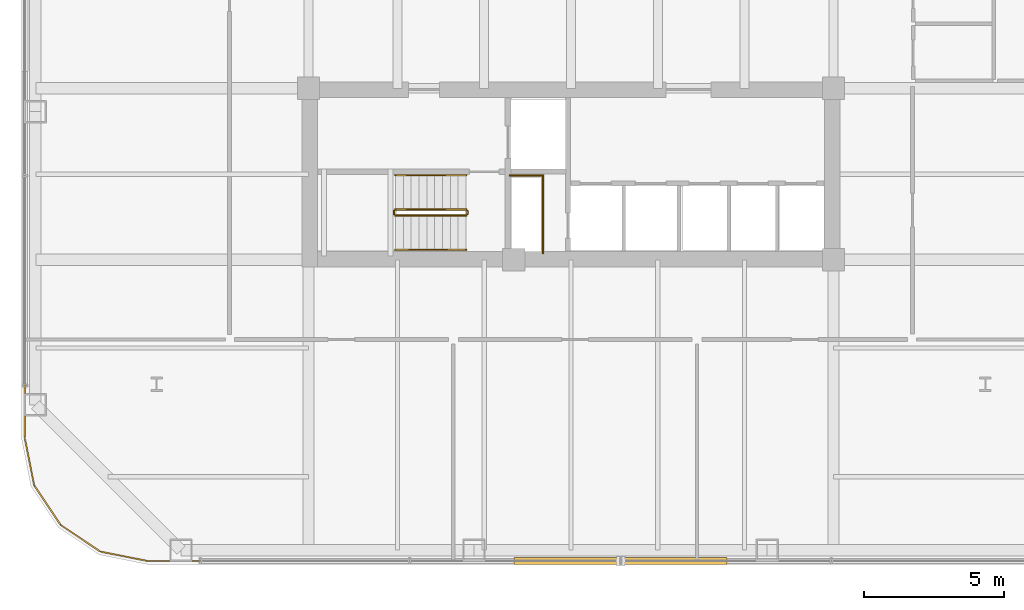
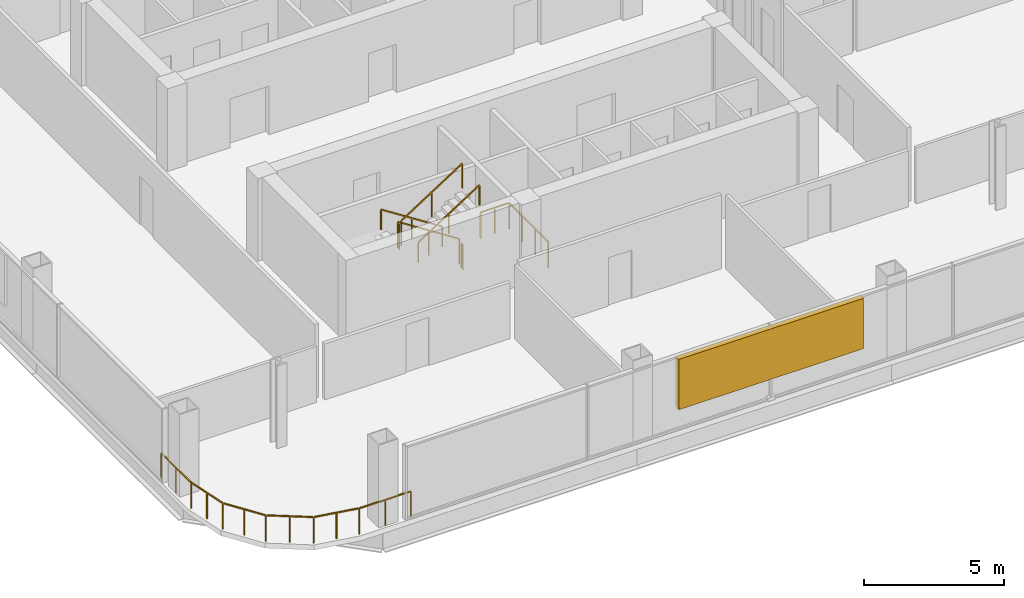
# One storey, part 22 of 24: 8 railings, 1 shading device.
"""IFC4 building model written with IfcOpenShell, lengths in metres."""

import ifcopenshell
import ifcopenshell.guid

model = None  # the IFC model being written
_history = None  # IfcOwnerHistory: only IFC2X3 demands one
_inside = {}  # id of a spatial element -> (the spatial element, [elements in it])
_under = {}  # id of a project, library or spatial element -> (it, [spatial elements below it])
_declared = {}  # id of a project -> (the project, [libraries it declares])
_typed = {}  # id of a type object -> (the type object, [elements of that type])
_made_of = {}  # id of a material, layer set ... -> (it, [elements and type objects made of it])


def new_model(schema):
    """Start an empty IFC model of exactly this schema.

    Asked for "IFC4X3", IfcOpenShell would pick the latest addendum, in which some entities
    have other attributes; the version numbers below select the first issue.
    IFC2X3 requires an IfcOwnerHistory on every rooted entity: one is made here for all.
    """
    global model, _history
    if schema == "IFC4X3":
        model = ifcopenshell.file(schema_version=(4, 3, 0, 0))
    else:
        model = ifcopenshell.file(schema=schema)
    _inside.clear()
    _under.clear()
    _declared.clear()
    _typed.clear()
    _made_of.clear()
    _history = None
    if model.schema == "IFC2X3":
        org = make("IfcOrganization", Name="unknown")
        user = make(
            "IfcPersonAndOrganization",
            ThePerson=make("IfcPerson", FamilyName="unknown"),
            TheOrganization=org,
        )
        app = make(
            "IfcApplication",
            ApplicationDeveloper=org,
            Version="unknown",
            ApplicationFullName="unknown",
            ApplicationIdentifier="unknown",
        )
        _history = make(
            "IfcOwnerHistory",
            OwningUser=user,
            OwningApplication=app,
            ChangeAction="ADDED",
            CreationDate=0,
        )
    return model


def make(cls, **values):
    """One entity of the class cls with the attributes given. An attribute that is None is left unset."""
    return model.create_entity(
        cls, **{name: value for name, value in values.items() if value is not None}
    )


def rooted(cls, **values):
    """An entity with a GlobalId (a new one), such as an element, a storey or a relation."""
    return make(cls, GlobalId=ifcopenshell.guid.new(), OwnerHistory=_history, **values)


def si_unit(unit_type, name, prefix=None):
    """IfcSIUnit, for example si_unit("LENGTHUNIT", "METRE", prefix="MILLI")."""
    return make("IfcSIUnit", UnitType=unit_type, Prefix=prefix, Name=name)


def assignment(units):
    """IfcUnitAssignment: the units of a project."""
    return None if units is None else make("IfcUnitAssignment", Units=units)


def point(xyz):
    """IfcCartesianPoint."""
    return None if xyz is None else make("IfcCartesianPoint", Coordinates=xyz)


def direction(xyz):
    """IfcDirection."""
    return None if xyz is None else make("IfcDirection", DirectionRatios=xyz)


def frame(location, z_axis=None, x_axis=None):
    """IfcAxis2Placement3D, a coordinate frame: its origin and axes. An axis left out is left unset."""
    return make(
        "IfcAxis2Placement3D",
        Location=point(location),
        Axis=direction(z_axis),
        RefDirection=direction(x_axis),
    )


def frame_2d(location, x_axis=None):
    """IfcAxis2Placement2D, a coordinate frame in the plane: its origin and x axis."""
    return make(
        "IfcAxis2Placement2D", Location=point(location), RefDirection=direction(x_axis)
    )


def origin():
    """The frame at (0, 0, 0) with its axes left unset."""
    return frame((0.0, 0.0, 0.0))


def origin_2d():
    """The frame at (0, 0) in the plane with its x axis left unset."""
    return frame_2d((0.0, 0.0))


def place(relative_to, where):
    """IfcLocalPlacement: puts the frame where relative to a parent placement (None: the world)."""
    return make(
        "IfcLocalPlacement", PlacementRelTo=relative_to, RelativePlacement=where
    )


def context(
    kind, dimensions, precision=None, world=None, true_north=None, identifier=None
):
    """IfcGeometricRepresentationContext, for example the 3D "Model" context."""
    return make(
        "IfcGeometricRepresentationContext",
        ContextIdentifier=identifier,
        ContextType=kind,
        CoordinateSpaceDimension=dimensions,
        Precision=precision,
        WorldCoordinateSystem=world,
        TrueNorth=true_north,
    )


def subcontext(parent, identifier, kind, view, scale=None):
    """IfcGeometricRepresentationSubContext, for example "Body" below "Model"."""
    return make(
        "IfcGeometricRepresentationSubContext",
        ContextIdentifier=identifier,
        ContextType=kind,
        ParentContext=parent,
        TargetScale=scale,
        TargetView=view,
    )


def project(units=None, contexts=None):
    """IfcProject with its units and contexts."""
    return rooted(
        "IfcProject",
        Name="project",
        RepresentationContexts=contexts,
        UnitsInContext=assignment(units),
    )


def spatial(cls, under=None, at=None, **own):
    """A site, building, storey or space (cls), placed at a placement, below another one or the project."""
    s = rooted(cls, ObjectPlacement=at, **own)
    if under is not None:
        _under.setdefault(under.id(), (under, []))[1].append(s)
    return s


def profile(cls, at=None, kind="AREA", **sizes):
    """A parametric profile (cls). Its sizes go by their IFC names, for example OverallWidth=200.0."""
    return make(cls, ProfileType=kind, Position=at, **sizes)


def rectangle(**sizes):
    """IfcRectangleProfileDef."""
    return profile("IfcRectangleProfileDef", **sizes)


def extrude(swept, where, along, depth):
    """IfcExtrudedAreaSolid: the profile swept, set in the frame where, extruded along a direction by depth."""
    return make(
        "IfcExtrudedAreaSolid",
        SweptArea=swept,
        Position=where,
        ExtrudedDirection=direction(along),
        Depth=depth,
    )


def shape(context_of_items, identifier, shape_type, items):
    """IfcShapeRepresentation: the items that make up one representation, for example the "Body"."""
    return make(
        "IfcShapeRepresentation",
        ContextOfItems=context_of_items,
        RepresentationIdentifier=identifier,
        RepresentationType=shape_type,
        Items=items,
    )


def material(Name=None, Category=None):
    """IfcMaterial."""
    return make("IfcMaterial", Name=Name, Category=Category)


def made_of(thing, what):
    """Note that an element or type object is made of a material, layer set ...; save() writes the relation."""
    if what is not None:
        _made_of.setdefault(what.id(), (what, []))[1].append(thing)
    return thing


def type_object(cls, material=None, **own):
    """A type object (cls), such as IfcWallType, which elements share."""
    return made_of(rooted(cls, **own), material)


def element(
    cls,
    number,
    at=None,
    inside=None,
    cuts=None,
    type_object=None,
    material=None,
    context=None,
    identifier="Body",
    shape_type=None,
    held_by="IfcProductDefinitionShape",
    body=None,
    shapes=None,
    **own,
):
    """One element of the class cls, such as IfcWall. Its Tag is "e" and its number.

    at: its placement. inside: the storey or other place that contains it. cuts: it is an
    opening in that element (IfcRelVoidsElement). A single representation is given by context,
    identifier, shape_type and body (its items); several are given by shapes. held_by: the class
    of the entity that holds the representations. save() writes the other relations.
    """
    e = rooted(cls, Tag="e%d" % number, ObjectPlacement=at, **own)
    if body is not None:
        shapes = [shape(context, identifier, shape_type, body)]
    if shapes is not None:
        e.Representation = make(held_by, Representations=shapes)
    if inside is not None:
        _inside.setdefault(inside.id(), (inside, []))[1].append(e)
    if cuts is not None:
        rooted(
            "IfcRelVoidsElement", RelatingBuildingElement=cuts, RelatedOpeningElement=e
        )
    if type_object is not None:
        _typed.setdefault(type_object.id(), (type_object, []))[1].append(e)
    return made_of(e, material)


def aggregate(whole, parts):
    """IfcRelAggregates: a whole, such as a stair, and the parts it consists of."""
    return rooted("IfcRelAggregates", RelatingObject=whole, RelatedObjects=parts)


def save(model, path):
    """Write the relations noted so far, then the file.

    IfcRelAggregates (storeys below a building ...), IfcRelContainedInSpatialStructure (elements
    in a storey), IfcRelDefinesByType, IfcRelAssociatesMaterial and IfcRelDeclares: one each for
    every whole, place, type object, material and project.
    """
    for whole, parts in _under.values():
        aggregate(whole, parts)
    for where, things in _inside.values():
        rooted(
            "IfcRelContainedInSpatialStructure",
            RelatedElements=things,
            RelatingStructure=where,
        )
    for kind, things in _typed.values():
        rooted("IfcRelDefinesByType", RelatedObjects=things, RelatingType=kind)
    for what, things in _made_of.values():
        rooted("IfcRelAssociatesMaterial", RelatedObjects=things, RelatingMaterial=what)
    for by, libraries in _declared.values():
        rooted("IfcRelDeclares", RelatingContext=by, RelatedDefinitions=libraries)
    model.write(path)


model = new_model("IFC4")

# Units and contexts
model_context = context("Model", 3, precision=1e-05, world=origin(), true_north=direction((0.0, 1.0)))
body_context = subcontext(model_context, "Body", "Model", "MODEL_VIEW")
ifc_project = project(units=[si_unit("LENGTHUNIT", "METRE"), si_unit("AREAUNIT", "SQUARE_METRE"), si_unit("VOLUMEUNIT", "CUBIC_METRE"), si_unit("PLANEANGLEUNIT", "RADIAN"), si_unit("MASSUNIT", "GRAM", prefix="KILO")], contexts=[model_context])

# Site, building, storey
site_placement = place(None, origin())
site = spatial("IfcSite", under=ifc_project, at=site_placement, CompositionType="ELEMENT")
building_placement = place(site_placement, origin())
building = spatial("IfcBuilding", under=site, at=building_placement, Name="Qhalaya Broadcast Tower", CompositionType="ELEMENT")
storey_placement = place(building_placement, frame((0.0, 0.0, 61.5)))
storey = spatial("IfcBuildingStorey", under=building, at=storey_placement, Name="L17", CompositionType="ELEMENT", Elevation=61.5)

# Railings
ifc_material_1 = material(Name="Powder-Coated Galvanised Steel", Category="steel")
railing_type_1 = type_object("IfcRailingType", Name="Stair Wall Handrail 900", PredefinedType="HANDRAIL", material=ifc_material_1)
railing_1_placement = place(storey_placement, frame((-3.75, -5.72998046875, 0.179931640625)))
element("IfcRailing", 1, at=railing_1_placement, inside=storey, type_object=railing_type_1, Name="L17 ST-2 Stair Handrail 1", PredefinedType="HANDRAIL", context=body_context, shape_type="SweptSolid", body=[
    extrude(rectangle(XDim=0.048095703125, YDim=0.048095703125, at=origin_2d()), frame((0.0, 0.0, 0.8759765625), z_axis=(-0.841162588446, 0.0, 0.540782303519), x_axis=(0.0, -1.0, 0.0)), (0.0, 0.0, 1.0), 2.995849609375),
    extrude(rectangle(XDim=0.0419921875, YDim=0.0419921875, at=origin_2d()), origin(), (0.0, 0.0, 1.0), 0.849853515625),
    extrude(rectangle(XDim=0.0419921875, YDim=0.0419921875, at=origin_2d()), frame((-1.260009765625, 0.0, 0.81005859375)), (0.0, 0.0, 1.0), 0.849853515625),
    extrude(rectangle(XDim=0.0419921875, YDim=0.0419921875, at=origin_2d()), frame((-2.52001953125, 0.0, 1.6201171875)), (0.0, 0.0, 1.0), 0.849853515625),
])
railing_2_placement = place(storey_placement, frame((-6.27001953125, -8.389892578125, 1.97998046875)))
element("IfcRailing", 2, at=railing_2_placement, inside=storey, type_object=railing_type_1, Name="L17 ST-2 Stair Handrail 2", PredefinedType="HANDRAIL", context=body_context, shape_type="SweptSolid", body=[
    extrude(rectangle(XDim=0.048095703125, YDim=0.048095703125, at=origin_2d()), frame((0.0, 0.0, 0.8759765625), z_axis=(0.841162588446, 0.0, 0.540782303519), x_axis=(0.0, 1.0, 0.0)), (0.0, 0.0, 1.0), 2.995849609375),
    extrude(rectangle(XDim=0.0419921875, YDim=0.0419921875, at=origin_2d()), origin(), (0.0, 0.0, 1.0), 0.849853515625),
    extrude(rectangle(XDim=0.0419921875, YDim=0.0419921875, at=origin_2d()), frame((1.260009765625, 0.0, 0.81005859375)), (0.0, 0.0, 1.0), 0.849853515625),
    extrude(rectangle(XDim=0.0419921875, YDim=0.0419921875, at=origin_2d()), frame((2.52001953125, 0.0, 1.6201171875)), (0.0, 0.0, 1.0), 0.849853515625),
])
railing_type_2 = type_object("IfcRailingType", Name="Stair Well & Landing Guardrail 1100", PredefinedType="GUARDRAIL", material=ifc_material_1)
railing_3_placement = place(storey_placement, frame((-1.0, -8.52001953125, 0.0)))
element("IfcRailing", 3, at=railing_3_placement, inside=storey, type_object=railing_type_2, Name="L17 Service Riser Opening Safety Guard SRSR", PredefinedType="GUARDRAIL", context=body_context, shape_type="SweptSolid", body=[
    extrude(rectangle(XDim=0.048095703125, YDim=0.048095703125, at=origin_2d()), frame((0.0, 0.0, 1.1259765625), z_axis=(0.0, 1.0, 0.0), x_axis=(-1.0, 0.0, 0.0)), (0.0, 0.0, 1.0), 2.751220703125),
    extrude(rectangle(XDim=0.048095703125, YDim=0.048095703125, at=origin_2d()), frame((-0.02880859375, 2.780029296875, 1.1259765625), z_axis=(-1.0, 0.0, 0.0), x_axis=(0.0, -1.0, 0.0)), (0.0, 0.0, 1.0), 1.151123046875),
    extrude(rectangle(XDim=0.0419921875, YDim=0.0419921875, at=origin_2d()), origin(), (0.0, 0.0, 1.0), 1.099853515625),
    extrude(rectangle(XDim=0.0419921875, YDim=0.0419921875, at=origin_2d()), frame((0.0, 0.9267578125, 0.0)), (0.0, 0.0, 1.0), 1.099853515625),
    extrude(rectangle(XDim=0.0419921875, YDim=0.0419921875, at=origin_2d()), frame((0.0, 1.853271484375, 0.0)), (0.0, 0.0, 1.0), 1.099853515625),
    extrude(rectangle(XDim=0.0419921875, YDim=0.0419921875, at=origin_2d()), frame((0.0, 2.780029296875, 0.0)), (0.0, 0.0, 1.0), 1.099853515625),
    extrude(rectangle(XDim=0.0419921875, YDim=0.0419921875, at=origin_2d()), frame((-0.58984375, 2.780029296875, 0.0)), (0.0, 0.0, 1.0), 1.099853515625),
    extrude(rectangle(XDim=0.0419921875, YDim=0.0419921875, at=origin_2d()), frame((-1.179931640625, 2.780029296875, 0.0)), (0.0, 0.0, 1.0), 1.099853515625),
])
railing_4_placement = place(storey_placement, frame((-3.75, -6.949951171875, 0.179931640625)))
element("IfcRailing", 4, at=railing_4_placement, inside=storey, type_object=railing_type_2, Name="L17 ST-2 Stair Guard 1", PredefinedType="GUARDRAIL", context=body_context, shape_type="SweptSolid", body=[
    extrude(rectangle(XDim=0.048095703125, YDim=0.048095703125, at=origin_2d()), frame((0.0, 0.0, 1.076171875), z_axis=(-0.841162588446, 0.0, 0.540782303519), x_axis=(0.0, -1.0, 0.0)), (0.0, 0.0, 1.0), 2.995849609375),
    extrude(rectangle(XDim=0.0419921875, YDim=0.0419921875, at=origin_2d()), origin(), (0.0, 0.0, 1.0), 1.050048828125),
    extrude(rectangle(XDim=0.0419921875, YDim=0.0419921875, at=origin_2d()), frame((-1.260009765625, 0.0, 0.81005859375)), (0.0, 0.0, 1.0), 1.050048828125),
    extrude(rectangle(XDim=0.0419921875, YDim=0.0419921875, at=origin_2d()), frame((-2.52001953125, 0.0, 1.6201171875)), (0.0, 0.0, 1.0), 1.050048828125),
])
railing_5_placement = place(storey_placement, frame((-6.320068359375, -7.0, 1.800048828125)))
element("IfcRailing", 5, at=railing_5_placement, inside=storey, type_object=railing_type_2, Name="L17 ST-2 Stair Guard 2", PredefinedType="GUARDRAIL", context=body_context, shape_type="SweptSolid", body=[
    extrude(rectangle(XDim=0.048095703125, YDim=0.048095703125, at=origin_2d()), frame((0.0, 0.0, 1.076171875), z_axis=(0.0, -1.0, 0.0), x_axis=(1.0, 0.0, 0.0)), (0.0, 0.0, 1.0), 0.1201171875),
    extrude(rectangle(XDim=0.0419921875, YDim=0.0419921875, at=origin_2d()), origin(), (0.0, 0.0, 1.0), 1.050048828125),
    extrude(rectangle(XDim=0.0419921875, YDim=0.0419921875, at=origin_2d()), frame((0.0, -0.1201171875, 0.0)), (0.0, 0.0, 1.0), 1.050048828125),
])
railing_6_placement = place(storey_placement, frame((-6.27001953125, -7.169921875, 1.97998046875)))
element("IfcRailing", 6, at=railing_6_placement, inside=storey, type_object=railing_type_2, Name="L17 ST-2 Stair Guard 3", PredefinedType="GUARDRAIL", context=body_context, shape_type="SweptSolid", body=[
    extrude(rectangle(XDim=0.048095703125, YDim=0.048095703125, at=origin_2d()), frame((0.0, 0.0, 1.076171875), z_axis=(0.841162588446, 0.0, 0.540782303519), x_axis=(0.0, 1.0, 0.0)), (0.0, 0.0, 1.0), 2.995849609375),
    extrude(rectangle(XDim=0.0419921875, YDim=0.0419921875, at=origin_2d()), origin(), (0.0, 0.0, 1.0), 1.050048828125),
    extrude(rectangle(XDim=0.0419921875, YDim=0.0419921875, at=origin_2d()), frame((1.260009765625, 0.0, 0.81005859375)), (0.0, 0.0, 1.0), 1.050048828125),
    extrude(rectangle(XDim=0.0419921875, YDim=0.0419921875, at=origin_2d()), frame((2.52001953125, 0.0, 1.6201171875)), (0.0, 0.0, 1.0), 1.050048828125),
])
railing_7_placement = place(storey_placement, frame((-3.699951171875, -7.0, 0.0)))
element("IfcRailing", 7, at=railing_7_placement, inside=storey, type_object=railing_type_2, Name="L17 ST-2 Stair Guard 4", PredefinedType="GUARDRAIL", context=body_context, shape_type="SweptSolid", body=[
    extrude(rectangle(XDim=0.048095703125, YDim=0.048095703125, at=origin_2d()), frame((0.0, 0.0, 1.076171875), z_axis=(0.0, -1.0, 0.0), x_axis=(1.0, 0.0, 0.0)), (0.0, 0.0, 1.0), 0.1201171875),
    extrude(rectangle(XDim=0.0419921875, YDim=0.0419921875, at=origin_2d()), origin(), (0.0, 0.0, 1.0), 1.050048828125),
    extrude(rectangle(XDim=0.0419921875, YDim=0.0419921875, at=origin_2d()), frame((0.0, -0.1201171875, 0.0)), (0.0, 0.0, 1.0), 1.050048828125),
])
railing_type_3 = type_object("IfcRailingType", Name="Terrace, Sky-Pool & Lookout Glass Balustrade 1150", PredefinedType="BALUSTRADE", material=ifc_material_1)
railing_8_placement = place(storey_placement, frame((-13.0, -19.510009765625, 0.0)))
element("IfcRailing", 8, at=railing_8_placement, inside=storey, type_object=railing_type_3, Name="L17 Rounded Corner Perimeter Guard 02", PredefinedType="BALUSTRADE", context=body_context, shape_type="SweptSolid", body=[
    extrude(rectangle(XDim=0.048095703125, YDim=0.048095703125, at=origin_2d()), frame((0.0, 0.0, 1.1259765625), z_axis=(-1.0, 0.0, 0.0), x_axis=(0.0, -1.0, 0.0)), (0.0, 0.0, 1.0), 2.08935546875),
    extrude(rectangle(XDim=0.048095703125, YDim=0.048095703125, at=origin_2d()), frame((-2.146484375, 0.005615234375, 1.1259765625), z_axis=(-0.980803832953, 0.194997028864, 0.0), x_axis=(-0.194997028864, -0.980803832953, 0.0)), (0.0, 0.0, 1.0), 1.66259765625),
    extrude(rectangle(XDim=0.048095703125, YDim=0.048095703125, at=origin_2d()), frame((-3.829345703125, 0.3515625, 1.1259765625), z_axis=(-0.831456085426, 0.555590476887, 0.0), x_axis=(-0.555590476887, -0.831456085426, 0.0)), (0.0, 0.0, 1.0), 1.650390625),
    extrude(rectangle(XDim=0.048095703125, YDim=0.048095703125, at=origin_2d()), frame((-5.24169921875, 1.308349609375, 1.1259765625), z_axis=(-0.555590476887, 0.831456085426, 0.0), x_axis=(-0.831456085426, -0.555590476887, 0.0)), (0.0, 0.0, 1.0), 1.650390625),
    extrude(rectangle(XDim=0.048095703125, YDim=0.048095703125, at=origin_2d()), frame((-6.18017578125, 2.73291015625, 1.1259765625), z_axis=(-0.194997028864, 0.980803832953, 0.0), x_axis=(-0.980803832953, -0.194997028864, 0.0)), (0.0, 0.0, 1.0), 1.66259765625),
    extrude(rectangle(XDim=0.048095703125, YDim=0.048095703125, at=origin_2d()), frame((-6.510009765625, 4.420654296875, 1.1259765625), z_axis=(0.0, 1.0, 0.0), x_axis=(-1.0, 0.0, 0.0)), (0.0, 0.0, 1.0), 2.08935546875),
    extrude(rectangle(XDim=0.0419921875, YDim=0.0419921875, at=origin_2d()), origin(), (0.0, 0.0, 1.0), 1.099853515625),
    extrude(rectangle(XDim=0.0419921875, YDim=0.0419921875, at=origin_2d()), frame((-1.05908203125, 0.0, 0.0)), (0.0, 0.0, 1.0), 1.099853515625),
    extrude(rectangle(XDim=0.0419921875, YDim=0.0419921875, at=origin_2d()), frame((-2.1181640625, 0.0, 0.0)), (0.0, 0.0, 1.0), 1.099853515625),
    extrude(rectangle(XDim=0.0419921875, YDim=0.0419921875, at=origin_2d()), frame((-2.9619140625, 0.167724609375, 0.0)), (0.0, 0.0, 1.0), 1.099853515625),
    extrude(rectangle(XDim=0.0419921875, YDim=0.0419921875, at=origin_2d()), frame((-3.805419921875, 0.33544921875, 0.0)), (0.0, 0.0, 1.0), 1.099853515625),
    extrude(rectangle(XDim=0.0419921875, YDim=0.0419921875, at=origin_2d()), frame((-4.515625, 0.81005859375, 0.0)), (0.0, 0.0, 1.0), 1.099853515625),
    extrude(rectangle(XDim=0.0419921875, YDim=0.0419921875, at=origin_2d()), frame((-5.2255859375, 1.284423828125, 0.0)), (0.0, 0.0, 1.0), 1.099853515625),
    extrude(rectangle(XDim=0.0419921875, YDim=0.0419921875, at=origin_2d()), frame((-5.7001953125, 1.99462890625, 0.0)), (0.0, 0.0, 1.0), 1.099853515625),
    extrude(rectangle(XDim=0.0419921875, YDim=0.0419921875, at=origin_2d()), frame((-6.174560546875, 2.70458984375, 0.0)), (0.0, 0.0, 1.0), 1.099853515625),
    extrude(rectangle(XDim=0.0419921875, YDim=0.0419921875, at=origin_2d()), frame((-6.34228515625, 3.54833984375, 0.0)), (0.0, 0.0, 1.0), 1.099853515625),
    extrude(rectangle(XDim=0.0419921875, YDim=0.0419921875, at=origin_2d()), frame((-6.510009765625, 4.391845703125, 0.0)), (0.0, 0.0, 1.0), 1.099853515625),
    extrude(rectangle(XDim=0.0419921875, YDim=0.0419921875, at=origin_2d()), frame((-6.510009765625, 5.450927734375, 0.0)), (0.0, 0.0, 1.0), 1.099853515625),
    extrude(rectangle(XDim=0.0419921875, YDim=0.0419921875, at=origin_2d()), frame((-6.510009765625, 6.510009765625, 0.0)), (0.0, 0.0, 1.0), 1.099853515625),
])

# Shading device
ifc_material_2 = material(Name="Fired Architectural Terracotta", Category="masonry")
shading_device_type = type_object("IfcShadingDeviceType", Name="Terracotta Baguette Solar Screen Assembly TBS-01", PredefinedType="USERDEFINED", material=ifc_material_2)
shading_device_placement = place(storey_placement, frame((1.77001953125, -19.510009765625, 0.9013671875), z_axis=(0.0, 0.0, 1.0), x_axis=(1.0, 0.0, 0.0)))
element("IfcShadingDevice", 9, at=shading_device_placement, inside=storey, type_object=shading_device_type, Name="L17 Fired Terracotta Baguette Screen S", ObjectType="BAGUETTE", PredefinedType="USERDEFINED", context=body_context, shape_type="SweptSolid", body=[
    extrude(rectangle(XDim=7.60009765625, YDim=0.239990234375, at=origin_2d()), origin(), (0.0, 0.0, 1.0), 2.18994140625),
])

save(model, "model.ifc")
